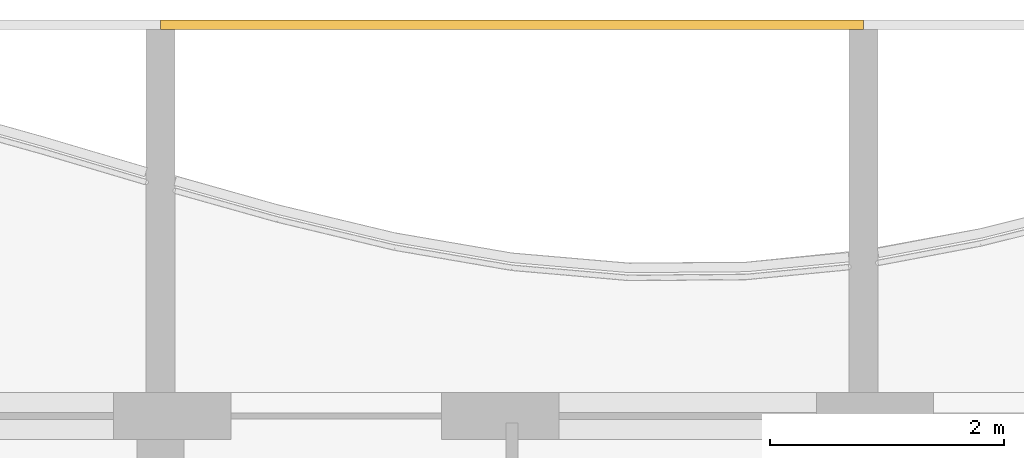
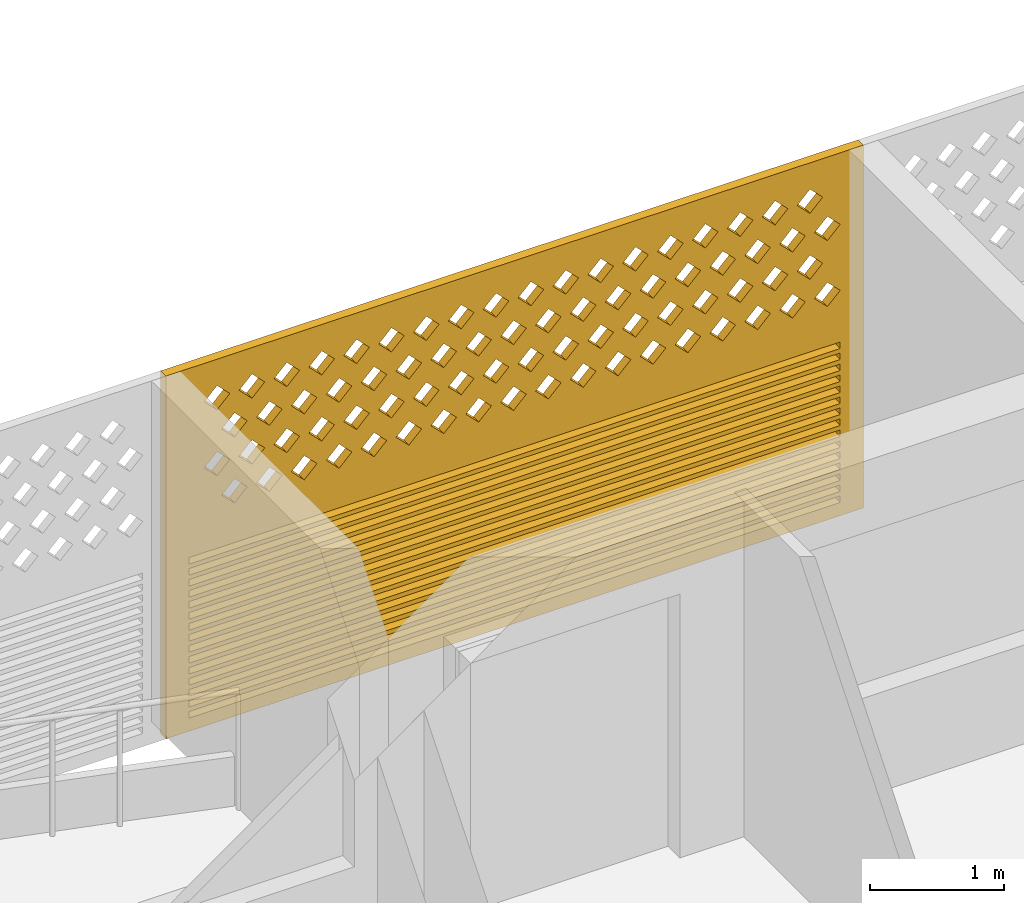
# One storey, part 34 of 39: 1 covering.
"""IFC4 building model written with IfcOpenShell, lengths in metres."""

from ifc_helpers import new_model, si_unit, direction, frame, origin, place, context, subcontext, project, spatial, polyline, outline, extrude, source, transform, mapped, material, material_profile, profile_set, type_object, element, save


model = new_model("IFC4")

# Units and contexts
model_context = context("Model", 3, precision=1e-05, world=origin(), true_north=direction((0.0, 1.0)))
body_context = subcontext(model_context, "Body", "Model", "MODEL_VIEW")
ifc_project = project(units=[si_unit("LENGTHUNIT", "METRE"), si_unit("AREAUNIT", "SQUARE_METRE"), si_unit("VOLUMEUNIT", "CUBIC_METRE"), si_unit("PLANEANGLEUNIT", "RADIAN"), si_unit("MASSUNIT", "GRAM", prefix="KILO")], contexts=[model_context])

# Site, building, storey
site_placement = place(None, origin())
site = spatial("IfcSite", under=ifc_project, at=site_placement, CompositionType="ELEMENT")
building_placement = place(site_placement, origin())
building = spatial("IfcBuilding", under=site, at=building_placement, Name="Poui Terraces", CompositionType="ELEMENT")
storey_placement = place(building_placement, frame((0.0, 0.0, 59.699951171875)))
storey = spatial("IfcBuildingStorey", under=building, at=storey_placement, Name="L16", CompositionType="ELEMENT", Elevation=59.699951171875)

# Covering
ifc_material = material(Name="Terracotta screen", Category="masonry")
ifc_material_profile = material_profile(ifc_material, outline(polyline([(-3.0, -1.64990234375), (3.0, -1.64990234375), (3.0, 1.64990234375), (-3.0, 1.64990234375), (-3.0, -1.64990234375)]), holes=[polyline([(-2.800048828125, 0.39990234375), (-2.68994140625, 0.2900390625), (-2.580078125, 0.39990234375), (-2.68994140625, 0.510009765625), (-2.800048828125, 0.39990234375)]), polyline([(-2.5, 0.39990234375), (-2.389892578125, 0.2900390625), (-2.280029296875, 0.39990234375), (-2.389892578125, 0.510009765625), (-2.5, 0.39990234375)]), polyline([(-2.199951171875, 0.39990234375), (-2.090087890625, 0.2900390625), (-1.97998046875, 0.39990234375), (-2.090087890625, 0.510009765625), (-2.199951171875, 0.39990234375)]), polyline([(-1.89990234375, 0.39990234375), (-1.7900390625, 0.2900390625), (-1.679931640625, 0.39990234375), (-1.7900390625, 0.510009765625), (-1.89990234375, 0.39990234375)]), polyline([(-1.60009765625, 0.39990234375), (-1.489990234375, 0.2900390625), (-1.3798828125, 0.39990234375), (-1.489990234375, 0.510009765625), (-1.60009765625, 0.39990234375)]), polyline([(-1.300048828125, 0.39990234375), (-1.18994140625, 0.2900390625), (-1.080078125, 0.39990234375), (-1.18994140625, 0.510009765625), (-1.300048828125, 0.39990234375)]), polyline([(-1.0, 0.39990234375), (-0.889892578125, 0.2900390625), (-0.780029296875, 0.39990234375), (-0.889892578125, 0.510009765625), (-1.0, 0.39990234375)]), polyline([(-0.699951171875, 0.39990234375), (-0.590087890625, 0.2900390625), (-0.47998046875, 0.39990234375), (-0.590087890625, 0.510009765625), (-0.699951171875, 0.39990234375)]), polyline([(-0.39990234375, 0.39990234375), (-0.2900390625, 0.2900390625), (-0.179931640625, 0.39990234375), (-0.2900390625, 0.510009765625), (-0.39990234375, 0.39990234375)]), polyline([(-0.10009765625, 0.39990234375), (0.010009765625, 0.2900390625), (0.1201171875, 0.39990234375), (0.010009765625, 0.510009765625), (-0.10009765625, 0.39990234375)]), polyline([(0.199951171875, 0.39990234375), (0.31005859375, 0.2900390625), (0.419921875, 0.39990234375), (0.31005859375, 0.510009765625), (0.199951171875, 0.39990234375)]), polyline([(0.5, 0.39990234375), (0.610107421875, 0.2900390625), (0.719970703125, 0.39990234375), (0.610107421875, 0.510009765625), (0.5, 0.39990234375)]), polyline([(0.800048828125, 0.39990234375), (0.909912109375, 0.2900390625), (1.02001953125, 0.39990234375), (0.909912109375, 0.510009765625), (0.800048828125, 0.39990234375)]), polyline([(1.10009765625, 0.39990234375), (1.2099609375, 0.2900390625), (1.320068359375, 0.39990234375), (1.2099609375, 0.510009765625), (1.10009765625, 0.39990234375)]), polyline([(1.39990234375, 0.39990234375), (1.510009765625, 0.2900390625), (1.6201171875, 0.39990234375), (1.510009765625, 0.510009765625), (1.39990234375, 0.39990234375)]), polyline([(1.699951171875, 0.39990234375), (1.81005859375, 0.2900390625), (1.919921875, 0.39990234375), (1.81005859375, 0.510009765625), (1.699951171875, 0.39990234375)]), polyline([(2.0, 0.39990234375), (2.110107421875, 0.2900390625), (2.219970703125, 0.39990234375), (2.110107421875, 0.510009765625), (2.0, 0.39990234375)]), polyline([(2.300048828125, 0.39990234375), (2.409912109375, 0.2900390625), (2.52001953125, 0.39990234375), (2.409912109375, 0.510009765625), (2.300048828125, 0.39990234375)]), polyline([(-2.64990234375, 0.699951171875), (-2.5400390625, 0.590087890625), (-2.429931640625, 0.699951171875), (-2.5400390625, 0.81005859375), (-2.64990234375, 0.699951171875)]), polyline([(-2.35009765625, 0.699951171875), (-2.239990234375, 0.590087890625), (-2.1298828125, 0.699951171875), (-2.239990234375, 0.81005859375), (-2.35009765625, 0.699951171875)]), polyline([(-2.050048828125, 0.699951171875), (-1.93994140625, 0.590087890625), (-1.830078125, 0.699951171875), (-1.93994140625, 0.81005859375), (-2.050048828125, 0.699951171875)]), polyline([(-1.75, 0.699951171875), (-1.639892578125, 0.590087890625), (-1.530029296875, 0.699951171875), (-1.639892578125, 0.81005859375), (-1.75, 0.699951171875)]), polyline([(-1.449951171875, 0.699951171875), (-1.340087890625, 0.590087890625), (-1.22998046875, 0.699951171875), (-1.340087890625, 0.81005859375), (-1.449951171875, 0.699951171875)]), polyline([(-1.14990234375, 0.699951171875), (-1.0400390625, 0.590087890625), (-0.929931640625, 0.699951171875), (-1.0400390625, 0.81005859375), (-1.14990234375, 0.699951171875)]), polyline([(-0.85009765625, 0.699951171875), (-0.739990234375, 0.590087890625), (-0.6298828125, 0.699951171875), (-0.739990234375, 0.81005859375), (-0.85009765625, 0.699951171875)]), polyline([(-0.550048828125, 0.699951171875), (-0.43994140625, 0.590087890625), (-0.330078125, 0.699951171875), (-0.43994140625, 0.81005859375), (-0.550048828125, 0.699951171875)]), polyline([(-0.25, 0.699951171875), (-0.139892578125, 0.590087890625), (-0.030029296875, 0.699951171875), (-0.139892578125, 0.81005859375), (-0.25, 0.699951171875)]), polyline([(0.050048828125, 0.699951171875), (0.159912109375, 0.590087890625), (0.27001953125, 0.699951171875), (0.159912109375, 0.81005859375), (0.050048828125, 0.699951171875)]), polyline([(0.35009765625, 0.699951171875), (0.4599609375, 0.590087890625), (0.570068359375, 0.699951171875), (0.4599609375, 0.81005859375), (0.35009765625, 0.699951171875)]), polyline([(0.64990234375, 0.699951171875), (0.760009765625, 0.590087890625), (0.8701171875, 0.699951171875), (0.760009765625, 0.81005859375), (0.64990234375, 0.699951171875)]), polyline([(0.949951171875, 0.699951171875), (1.06005859375, 0.590087890625), (1.169921875, 0.699951171875), (1.06005859375, 0.81005859375), (0.949951171875, 0.699951171875)]), polyline([(1.25, 0.699951171875), (1.360107421875, 0.590087890625), (1.469970703125, 0.699951171875), (1.360107421875, 0.81005859375), (1.25, 0.699951171875)]), polyline([(1.550048828125, 0.699951171875), (1.659912109375, 0.590087890625), (1.77001953125, 0.699951171875), (1.659912109375, 0.81005859375), (1.550048828125, 0.699951171875)]), polyline([(1.85009765625, 0.699951171875), (1.9599609375, 0.590087890625), (2.070068359375, 0.699951171875), (1.9599609375, 0.81005859375), (1.85009765625, 0.699951171875)]), polyline([(2.14990234375, 0.699951171875), (2.260009765625, 0.590087890625), (2.3701171875, 0.699951171875), (2.260009765625, 0.81005859375), (2.14990234375, 0.699951171875)]), polyline([(2.449951171875, 0.699951171875), (2.56005859375, 0.590087890625), (2.669921875, 0.699951171875), (2.56005859375, 0.81005859375), (2.449951171875, 0.699951171875)]), polyline([(-2.800048828125, 1.0), (-2.68994140625, 0.889892578125), (-2.580078125, 1.0), (-2.68994140625, 1.110107421875), (-2.800048828125, 1.0)]), polyline([(-2.5, 1.0), (-2.389892578125, 0.889892578125), (-2.280029296875, 1.0), (-2.389892578125, 1.110107421875), (-2.5, 1.0)]), polyline([(-2.199951171875, 1.0), (-2.090087890625, 0.889892578125), (-1.97998046875, 1.0), (-2.090087890625, 1.110107421875), (-2.199951171875, 1.0)]), polyline([(-1.89990234375, 1.0), (-1.7900390625, 0.889892578125), (-1.679931640625, 1.0), (-1.7900390625, 1.110107421875), (-1.89990234375, 1.0)]), polyline([(-1.60009765625, 1.0), (-1.489990234375, 0.889892578125), (-1.3798828125, 1.0), (-1.489990234375, 1.110107421875), (-1.60009765625, 1.0)]), polyline([(-1.300048828125, 1.0), (-1.18994140625, 0.889892578125), (-1.080078125, 1.0), (-1.18994140625, 1.110107421875), (-1.300048828125, 1.0)]), polyline([(-1.0, 1.0), (-0.889892578125, 0.889892578125), (-0.780029296875, 1.0), (-0.889892578125, 1.110107421875), (-1.0, 1.0)]), polyline([(-0.699951171875, 1.0), (-0.590087890625, 0.889892578125), (-0.47998046875, 1.0), (-0.590087890625, 1.110107421875), (-0.699951171875, 1.0)]), polyline([(-0.39990234375, 1.0), (-0.2900390625, 0.889892578125), (-0.179931640625, 1.0), (-0.2900390625, 1.110107421875), (-0.39990234375, 1.0)]), polyline([(-0.10009765625, 1.0), (0.010009765625, 0.889892578125), (0.1201171875, 1.0), (0.010009765625, 1.110107421875), (-0.10009765625, 1.0)]), polyline([(0.199951171875, 1.0), (0.31005859375, 0.889892578125), (0.419921875, 1.0), (0.31005859375, 1.110107421875), (0.199951171875, 1.0)]), polyline([(0.5, 1.0), (0.610107421875, 0.889892578125), (0.719970703125, 1.0), (0.610107421875, 1.110107421875), (0.5, 1.0)]), polyline([(0.800048828125, 1.0), (0.909912109375, 0.889892578125), (1.02001953125, 1.0), (0.909912109375, 1.110107421875), (0.800048828125, 1.0)]), polyline([(1.10009765625, 1.0), (1.2099609375, 0.889892578125), (1.320068359375, 1.0), (1.2099609375, 1.110107421875), (1.10009765625, 1.0)]), polyline([(1.39990234375, 1.0), (1.510009765625, 0.889892578125), (1.6201171875, 1.0), (1.510009765625, 1.110107421875), (1.39990234375, 1.0)]), polyline([(1.699951171875, 1.0), (1.81005859375, 0.889892578125), (1.919921875, 1.0), (1.81005859375, 1.110107421875), (1.699951171875, 1.0)]), polyline([(2.0, 1.0), (2.110107421875, 0.889892578125), (2.219970703125, 1.0), (2.110107421875, 1.110107421875), (2.0, 1.0)]), polyline([(2.300048828125, 1.0), (2.409912109375, 0.889892578125), (2.52001953125, 1.0), (2.409912109375, 1.110107421875), (2.300048828125, 1.0)]), polyline([(-2.64990234375, 1.300048828125), (-2.5400390625, 1.18994140625), (-2.429931640625, 1.300048828125), (-2.5400390625, 1.409912109375), (-2.64990234375, 1.300048828125)]), polyline([(-2.35009765625, 1.300048828125), (-2.239990234375, 1.18994140625), (-2.1298828125, 1.300048828125), (-2.239990234375, 1.409912109375), (-2.35009765625, 1.300048828125)]), polyline([(-2.050048828125, 1.300048828125), (-1.93994140625, 1.18994140625), (-1.830078125, 1.300048828125), (-1.93994140625, 1.409912109375), (-2.050048828125, 1.300048828125)]), polyline([(-1.75, 1.300048828125), (-1.639892578125, 1.18994140625), (-1.530029296875, 1.300048828125), (-1.639892578125, 1.409912109375), (-1.75, 1.300048828125)]), polyline([(-1.449951171875, 1.300048828125), (-1.340087890625, 1.18994140625), (-1.22998046875, 1.300048828125), (-1.340087890625, 1.409912109375), (-1.449951171875, 1.300048828125)]), polyline([(-1.14990234375, 1.300048828125), (-1.0400390625, 1.18994140625), (-0.929931640625, 1.300048828125), (-1.0400390625, 1.409912109375), (-1.14990234375, 1.300048828125)]), polyline([(-0.85009765625, 1.300048828125), (-0.739990234375, 1.18994140625), (-0.6298828125, 1.300048828125), (-0.739990234375, 1.409912109375), (-0.85009765625, 1.300048828125)]), polyline([(-0.550048828125, 1.300048828125), (-0.43994140625, 1.18994140625), (-0.330078125, 1.300048828125), (-0.43994140625, 1.409912109375), (-0.550048828125, 1.300048828125)]), polyline([(-0.25, 1.300048828125), (-0.139892578125, 1.18994140625), (-0.030029296875, 1.300048828125), (-0.139892578125, 1.409912109375), (-0.25, 1.300048828125)]), polyline([(0.050048828125, 1.300048828125), (0.159912109375, 1.18994140625), (0.27001953125, 1.300048828125), (0.159912109375, 1.409912109375), (0.050048828125, 1.300048828125)]), polyline([(0.35009765625, 1.300048828125), (0.4599609375, 1.18994140625), (0.570068359375, 1.300048828125), (0.4599609375, 1.409912109375), (0.35009765625, 1.300048828125)]), polyline([(0.64990234375, 1.300048828125), (0.760009765625, 1.18994140625), (0.8701171875, 1.300048828125), (0.760009765625, 1.409912109375), (0.64990234375, 1.300048828125)]), polyline([(0.949951171875, 1.300048828125), (1.06005859375, 1.18994140625), (1.169921875, 1.300048828125), (1.06005859375, 1.409912109375), (0.949951171875, 1.300048828125)]), polyline([(1.25, 1.300048828125), (1.360107421875, 1.18994140625), (1.469970703125, 1.300048828125), (1.360107421875, 1.409912109375), (1.25, 1.300048828125)]), polyline([(1.550048828125, 1.300048828125), (1.659912109375, 1.18994140625), (1.77001953125, 1.300048828125), (1.659912109375, 1.409912109375), (1.550048828125, 1.300048828125)]), polyline([(1.85009765625, 1.300048828125), (1.9599609375, 1.18994140625), (2.070068359375, 1.300048828125), (1.9599609375, 1.409912109375), (1.85009765625, 1.300048828125)]), polyline([(2.14990234375, 1.300048828125), (2.260009765625, 1.18994140625), (2.3701171875, 1.300048828125), (2.260009765625, 1.409912109375), (2.14990234375, 1.300048828125)]), polyline([(2.449951171875, 1.300048828125), (2.56005859375, 1.18994140625), (2.669921875, 1.300048828125), (2.56005859375, 1.409912109375), (2.449951171875, 1.300048828125)]), polyline([(-2.800048828125, -1.530029296875), (2.800048828125, -1.530029296875), (2.800048828125, -1.469970703125), (-2.800048828125, -1.469970703125), (-2.800048828125, -1.530029296875)]), polyline([(-2.800048828125, -1.429931640625), (2.800048828125, -1.429931640625), (2.800048828125, -1.3701171875), (-2.800048828125, -1.3701171875), (-2.800048828125, -1.429931640625)]), polyline([(-2.800048828125, -1.330078125), (2.800048828125, -1.330078125), (2.800048828125, -1.27001953125), (-2.800048828125, -1.27001953125), (-2.800048828125, -1.330078125)]), polyline([(-2.800048828125, -1.22998046875), (2.800048828125, -1.22998046875), (2.800048828125, -1.169921875), (-2.800048828125, -1.169921875), (-2.800048828125, -1.22998046875)]), polyline([(-2.800048828125, -1.1298828125), (2.800048828125, -1.1298828125), (2.800048828125, -1.070068359375), (-2.800048828125, -1.070068359375), (-2.800048828125, -1.1298828125)]), polyline([(-2.800048828125, -1.030029296875), (2.800048828125, -1.030029296875), (2.800048828125, -0.969970703125), (-2.800048828125, -0.969970703125), (-2.800048828125, -1.030029296875)]), polyline([(-2.800048828125, -0.929931640625), (2.800048828125, -0.929931640625), (2.800048828125, -0.8701171875), (-2.800048828125, -0.8701171875), (-2.800048828125, -0.929931640625)]), polyline([(-2.800048828125, -0.830078125), (2.800048828125, -0.830078125), (2.800048828125, -0.77001953125), (-2.800048828125, -0.77001953125), (-2.800048828125, -0.830078125)]), polyline([(-2.800048828125, -0.72998046875), (2.800048828125, -0.72998046875), (2.800048828125, -0.669921875), (-2.800048828125, -0.669921875), (-2.800048828125, -0.72998046875)]), polyline([(-2.800048828125, -0.6298828125), (2.800048828125, -0.6298828125), (2.800048828125, -0.570068359375), (-2.800048828125, -0.570068359375), (-2.800048828125, -0.6298828125)]), polyline([(-2.800048828125, -0.530029296875), (2.800048828125, -0.530029296875), (2.800048828125, -0.469970703125), (-2.800048828125, -0.469970703125), (-2.800048828125, -0.530029296875)]), polyline([(-2.800048828125, -0.429931640625), (2.800048828125, -0.429931640625), (2.800048828125, -0.3701171875), (-2.800048828125, -0.3701171875), (-2.800048828125, -0.429931640625)]), polyline([(-2.800048828125, -0.330078125), (2.800048828125, -0.330078125), (2.800048828125, -0.27001953125), (-2.800048828125, -0.27001953125), (-2.800048828125, -0.330078125)]), polyline([(-2.800048828125, -0.22998046875), (2.800048828125, -0.22998046875), (2.800048828125, -0.169921875), (-2.800048828125, -0.169921875), (-2.800048828125, -0.22998046875)]), polyline([(-2.800048828125, -0.1298828125), (2.800048828125, -0.1298828125), (2.800048828125, -0.070068359375), (-2.800048828125, -0.070068359375), (-2.800048828125, -0.1298828125)])]), Name="TERRACOTTA SCREEN AND JALOUSIE LOUVRE 6000X3300")
ifc_profile_set = profile_set([ifc_material_profile], Name="Terracotta screen")
covering_type = type_object("IfcCoveringType", Name="TERRACOTTA SCREEN AND JALOUSIE LOUVRE 6000X3300", PredefinedType="CLADDING", material=ifc_profile_set)
shared_shape = source(origin(), body_context, "Body", "SweptSolid", [
    extrude(outline(polyline([(-3.0, -1.64990234375), (3.0, -1.64990234375), (3.0, 1.64990234375), (-3.0, 1.64990234375), (-3.0, -1.64990234375)]), holes=[polyline([(-2.800048828125, 0.39990234375), (-2.68994140625, 0.2900390625), (-2.580078125, 0.39990234375), (-2.68994140625, 0.510009765625), (-2.800048828125, 0.39990234375)]), polyline([(-2.5, 0.39990234375), (-2.389892578125, 0.2900390625), (-2.280029296875, 0.39990234375), (-2.389892578125, 0.510009765625), (-2.5, 0.39990234375)]), polyline([(-2.199951171875, 0.39990234375), (-2.090087890625, 0.2900390625), (-1.97998046875, 0.39990234375), (-2.090087890625, 0.510009765625), (-2.199951171875, 0.39990234375)]), polyline([(-1.89990234375, 0.39990234375), (-1.7900390625, 0.2900390625), (-1.679931640625, 0.39990234375), (-1.7900390625, 0.510009765625), (-1.89990234375, 0.39990234375)]), polyline([(-1.60009765625, 0.39990234375), (-1.489990234375, 0.2900390625), (-1.3798828125, 0.39990234375), (-1.489990234375, 0.510009765625), (-1.60009765625, 0.39990234375)]), polyline([(-1.300048828125, 0.39990234375), (-1.18994140625, 0.2900390625), (-1.080078125, 0.39990234375), (-1.18994140625, 0.510009765625), (-1.300048828125, 0.39990234375)]), polyline([(-1.0, 0.39990234375), (-0.889892578125, 0.2900390625), (-0.780029296875, 0.39990234375), (-0.889892578125, 0.510009765625), (-1.0, 0.39990234375)]), polyline([(-0.699951171875, 0.39990234375), (-0.590087890625, 0.2900390625), (-0.47998046875, 0.39990234375), (-0.590087890625, 0.510009765625), (-0.699951171875, 0.39990234375)]), polyline([(-0.39990234375, 0.39990234375), (-0.2900390625, 0.2900390625), (-0.179931640625, 0.39990234375), (-0.2900390625, 0.510009765625), (-0.39990234375, 0.39990234375)]), polyline([(-0.10009765625, 0.39990234375), (0.010009765625, 0.2900390625), (0.1201171875, 0.39990234375), (0.010009765625, 0.510009765625), (-0.10009765625, 0.39990234375)]), polyline([(0.199951171875, 0.39990234375), (0.31005859375, 0.2900390625), (0.419921875, 0.39990234375), (0.31005859375, 0.510009765625), (0.199951171875, 0.39990234375)]), polyline([(0.5, 0.39990234375), (0.610107421875, 0.2900390625), (0.719970703125, 0.39990234375), (0.610107421875, 0.510009765625), (0.5, 0.39990234375)]), polyline([(0.800048828125, 0.39990234375), (0.909912109375, 0.2900390625), (1.02001953125, 0.39990234375), (0.909912109375, 0.510009765625), (0.800048828125, 0.39990234375)]), polyline([(1.10009765625, 0.39990234375), (1.2099609375, 0.2900390625), (1.320068359375, 0.39990234375), (1.2099609375, 0.510009765625), (1.10009765625, 0.39990234375)]), polyline([(1.39990234375, 0.39990234375), (1.510009765625, 0.2900390625), (1.6201171875, 0.39990234375), (1.510009765625, 0.510009765625), (1.39990234375, 0.39990234375)]), polyline([(1.699951171875, 0.39990234375), (1.81005859375, 0.2900390625), (1.919921875, 0.39990234375), (1.81005859375, 0.510009765625), (1.699951171875, 0.39990234375)]), polyline([(2.0, 0.39990234375), (2.110107421875, 0.2900390625), (2.219970703125, 0.39990234375), (2.110107421875, 0.510009765625), (2.0, 0.39990234375)]), polyline([(2.300048828125, 0.39990234375), (2.409912109375, 0.2900390625), (2.52001953125, 0.39990234375), (2.409912109375, 0.510009765625), (2.300048828125, 0.39990234375)]), polyline([(-2.64990234375, 0.699951171875), (-2.5400390625, 0.590087890625), (-2.429931640625, 0.699951171875), (-2.5400390625, 0.81005859375), (-2.64990234375, 0.699951171875)]), polyline([(-2.35009765625, 0.699951171875), (-2.239990234375, 0.590087890625), (-2.1298828125, 0.699951171875), (-2.239990234375, 0.81005859375), (-2.35009765625, 0.699951171875)]), polyline([(-2.050048828125, 0.699951171875), (-1.93994140625, 0.590087890625), (-1.830078125, 0.699951171875), (-1.93994140625, 0.81005859375), (-2.050048828125, 0.699951171875)]), polyline([(-1.75, 0.699951171875), (-1.639892578125, 0.590087890625), (-1.530029296875, 0.699951171875), (-1.639892578125, 0.81005859375), (-1.75, 0.699951171875)]), polyline([(-1.449951171875, 0.699951171875), (-1.340087890625, 0.590087890625), (-1.22998046875, 0.699951171875), (-1.340087890625, 0.81005859375), (-1.449951171875, 0.699951171875)]), polyline([(-1.14990234375, 0.699951171875), (-1.0400390625, 0.590087890625), (-0.929931640625, 0.699951171875), (-1.0400390625, 0.81005859375), (-1.14990234375, 0.699951171875)]), polyline([(-0.85009765625, 0.699951171875), (-0.739990234375, 0.590087890625), (-0.6298828125, 0.699951171875), (-0.739990234375, 0.81005859375), (-0.85009765625, 0.699951171875)]), polyline([(-0.550048828125, 0.699951171875), (-0.43994140625, 0.590087890625), (-0.330078125, 0.699951171875), (-0.43994140625, 0.81005859375), (-0.550048828125, 0.699951171875)]), polyline([(-0.25, 0.699951171875), (-0.139892578125, 0.590087890625), (-0.030029296875, 0.699951171875), (-0.139892578125, 0.81005859375), (-0.25, 0.699951171875)]), polyline([(0.050048828125, 0.699951171875), (0.159912109375, 0.590087890625), (0.27001953125, 0.699951171875), (0.159912109375, 0.81005859375), (0.050048828125, 0.699951171875)]), polyline([(0.35009765625, 0.699951171875), (0.4599609375, 0.590087890625), (0.570068359375, 0.699951171875), (0.4599609375, 0.81005859375), (0.35009765625, 0.699951171875)]), polyline([(0.64990234375, 0.699951171875), (0.760009765625, 0.590087890625), (0.8701171875, 0.699951171875), (0.760009765625, 0.81005859375), (0.64990234375, 0.699951171875)]), polyline([(0.949951171875, 0.699951171875), (1.06005859375, 0.590087890625), (1.169921875, 0.699951171875), (1.06005859375, 0.81005859375), (0.949951171875, 0.699951171875)]), polyline([(1.25, 0.699951171875), (1.360107421875, 0.590087890625), (1.469970703125, 0.699951171875), (1.360107421875, 0.81005859375), (1.25, 0.699951171875)]), polyline([(1.550048828125, 0.699951171875), (1.659912109375, 0.590087890625), (1.77001953125, 0.699951171875), (1.659912109375, 0.81005859375), (1.550048828125, 0.699951171875)]), polyline([(1.85009765625, 0.699951171875), (1.9599609375, 0.590087890625), (2.070068359375, 0.699951171875), (1.9599609375, 0.81005859375), (1.85009765625, 0.699951171875)]), polyline([(2.14990234375, 0.699951171875), (2.260009765625, 0.590087890625), (2.3701171875, 0.699951171875), (2.260009765625, 0.81005859375), (2.14990234375, 0.699951171875)]), polyline([(2.449951171875, 0.699951171875), (2.56005859375, 0.590087890625), (2.669921875, 0.699951171875), (2.56005859375, 0.81005859375), (2.449951171875, 0.699951171875)]), polyline([(-2.800048828125, 1.0), (-2.68994140625, 0.889892578125), (-2.580078125, 1.0), (-2.68994140625, 1.110107421875), (-2.800048828125, 1.0)]), polyline([(-2.5, 1.0), (-2.389892578125, 0.889892578125), (-2.280029296875, 1.0), (-2.389892578125, 1.110107421875), (-2.5, 1.0)]), polyline([(-2.199951171875, 1.0), (-2.090087890625, 0.889892578125), (-1.97998046875, 1.0), (-2.090087890625, 1.110107421875), (-2.199951171875, 1.0)]), polyline([(-1.89990234375, 1.0), (-1.7900390625, 0.889892578125), (-1.679931640625, 1.0), (-1.7900390625, 1.110107421875), (-1.89990234375, 1.0)]), polyline([(-1.60009765625, 1.0), (-1.489990234375, 0.889892578125), (-1.3798828125, 1.0), (-1.489990234375, 1.110107421875), (-1.60009765625, 1.0)]), polyline([(-1.300048828125, 1.0), (-1.18994140625, 0.889892578125), (-1.080078125, 1.0), (-1.18994140625, 1.110107421875), (-1.300048828125, 1.0)]), polyline([(-1.0, 1.0), (-0.889892578125, 0.889892578125), (-0.780029296875, 1.0), (-0.889892578125, 1.110107421875), (-1.0, 1.0)]), polyline([(-0.699951171875, 1.0), (-0.590087890625, 0.889892578125), (-0.47998046875, 1.0), (-0.590087890625, 1.110107421875), (-0.699951171875, 1.0)]), polyline([(-0.39990234375, 1.0), (-0.2900390625, 0.889892578125), (-0.179931640625, 1.0), (-0.2900390625, 1.110107421875), (-0.39990234375, 1.0)]), polyline([(-0.10009765625, 1.0), (0.010009765625, 0.889892578125), (0.1201171875, 1.0), (0.010009765625, 1.110107421875), (-0.10009765625, 1.0)]), polyline([(0.199951171875, 1.0), (0.31005859375, 0.889892578125), (0.419921875, 1.0), (0.31005859375, 1.110107421875), (0.199951171875, 1.0)]), polyline([(0.5, 1.0), (0.610107421875, 0.889892578125), (0.719970703125, 1.0), (0.610107421875, 1.110107421875), (0.5, 1.0)]), polyline([(0.800048828125, 1.0), (0.909912109375, 0.889892578125), (1.02001953125, 1.0), (0.909912109375, 1.110107421875), (0.800048828125, 1.0)]), polyline([(1.10009765625, 1.0), (1.2099609375, 0.889892578125), (1.320068359375, 1.0), (1.2099609375, 1.110107421875), (1.10009765625, 1.0)]), polyline([(1.39990234375, 1.0), (1.510009765625, 0.889892578125), (1.6201171875, 1.0), (1.510009765625, 1.110107421875), (1.39990234375, 1.0)]), polyline([(1.699951171875, 1.0), (1.81005859375, 0.889892578125), (1.919921875, 1.0), (1.81005859375, 1.110107421875), (1.699951171875, 1.0)]), polyline([(2.0, 1.0), (2.110107421875, 0.889892578125), (2.219970703125, 1.0), (2.110107421875, 1.110107421875), (2.0, 1.0)]), polyline([(2.300048828125, 1.0), (2.409912109375, 0.889892578125), (2.52001953125, 1.0), (2.409912109375, 1.110107421875), (2.300048828125, 1.0)]), polyline([(-2.64990234375, 1.300048828125), (-2.5400390625, 1.18994140625), (-2.429931640625, 1.300048828125), (-2.5400390625, 1.409912109375), (-2.64990234375, 1.300048828125)]), polyline([(-2.35009765625, 1.300048828125), (-2.239990234375, 1.18994140625), (-2.1298828125, 1.300048828125), (-2.239990234375, 1.409912109375), (-2.35009765625, 1.300048828125)]), polyline([(-2.050048828125, 1.300048828125), (-1.93994140625, 1.18994140625), (-1.830078125, 1.300048828125), (-1.93994140625, 1.409912109375), (-2.050048828125, 1.300048828125)]), polyline([(-1.75, 1.300048828125), (-1.639892578125, 1.18994140625), (-1.530029296875, 1.300048828125), (-1.639892578125, 1.409912109375), (-1.75, 1.300048828125)]), polyline([(-1.449951171875, 1.300048828125), (-1.340087890625, 1.18994140625), (-1.22998046875, 1.300048828125), (-1.340087890625, 1.409912109375), (-1.449951171875, 1.300048828125)]), polyline([(-1.14990234375, 1.300048828125), (-1.0400390625, 1.18994140625), (-0.929931640625, 1.300048828125), (-1.0400390625, 1.409912109375), (-1.14990234375, 1.300048828125)]), polyline([(-0.85009765625, 1.300048828125), (-0.739990234375, 1.18994140625), (-0.6298828125, 1.300048828125), (-0.739990234375, 1.409912109375), (-0.85009765625, 1.300048828125)]), polyline([(-0.550048828125, 1.300048828125), (-0.43994140625, 1.18994140625), (-0.330078125, 1.300048828125), (-0.43994140625, 1.409912109375), (-0.550048828125, 1.300048828125)]), polyline([(-0.25, 1.300048828125), (-0.139892578125, 1.18994140625), (-0.030029296875, 1.300048828125), (-0.139892578125, 1.409912109375), (-0.25, 1.300048828125)]), polyline([(0.050048828125, 1.300048828125), (0.159912109375, 1.18994140625), (0.27001953125, 1.300048828125), (0.159912109375, 1.409912109375), (0.050048828125, 1.300048828125)]), polyline([(0.35009765625, 1.300048828125), (0.4599609375, 1.18994140625), (0.570068359375, 1.300048828125), (0.4599609375, 1.409912109375), (0.35009765625, 1.300048828125)]), polyline([(0.64990234375, 1.300048828125), (0.760009765625, 1.18994140625), (0.8701171875, 1.300048828125), (0.760009765625, 1.409912109375), (0.64990234375, 1.300048828125)]), polyline([(0.949951171875, 1.300048828125), (1.06005859375, 1.18994140625), (1.169921875, 1.300048828125), (1.06005859375, 1.409912109375), (0.949951171875, 1.300048828125)]), polyline([(1.25, 1.300048828125), (1.360107421875, 1.18994140625), (1.469970703125, 1.300048828125), (1.360107421875, 1.409912109375), (1.25, 1.300048828125)]), polyline([(1.550048828125, 1.300048828125), (1.659912109375, 1.18994140625), (1.77001953125, 1.300048828125), (1.659912109375, 1.409912109375), (1.550048828125, 1.300048828125)]), polyline([(1.85009765625, 1.300048828125), (1.9599609375, 1.18994140625), (2.070068359375, 1.300048828125), (1.9599609375, 1.409912109375), (1.85009765625, 1.300048828125)]), polyline([(2.14990234375, 1.300048828125), (2.260009765625, 1.18994140625), (2.3701171875, 1.300048828125), (2.260009765625, 1.409912109375), (2.14990234375, 1.300048828125)]), polyline([(2.449951171875, 1.300048828125), (2.56005859375, 1.18994140625), (2.669921875, 1.300048828125), (2.56005859375, 1.409912109375), (2.449951171875, 1.300048828125)]), polyline([(-2.800048828125, -1.530029296875), (2.800048828125, -1.530029296875), (2.800048828125, -1.469970703125), (-2.800048828125, -1.469970703125), (-2.800048828125, -1.530029296875)]), polyline([(-2.800048828125, -1.429931640625), (2.800048828125, -1.429931640625), (2.800048828125, -1.3701171875), (-2.800048828125, -1.3701171875), (-2.800048828125, -1.429931640625)]), polyline([(-2.800048828125, -1.330078125), (2.800048828125, -1.330078125), (2.800048828125, -1.27001953125), (-2.800048828125, -1.27001953125), (-2.800048828125, -1.330078125)]), polyline([(-2.800048828125, -1.22998046875), (2.800048828125, -1.22998046875), (2.800048828125, -1.169921875), (-2.800048828125, -1.169921875), (-2.800048828125, -1.22998046875)]), polyline([(-2.800048828125, -1.1298828125), (2.800048828125, -1.1298828125), (2.800048828125, -1.070068359375), (-2.800048828125, -1.070068359375), (-2.800048828125, -1.1298828125)]), polyline([(-2.800048828125, -1.030029296875), (2.800048828125, -1.030029296875), (2.800048828125, -0.969970703125), (-2.800048828125, -0.969970703125), (-2.800048828125, -1.030029296875)]), polyline([(-2.800048828125, -0.929931640625), (2.800048828125, -0.929931640625), (2.800048828125, -0.8701171875), (-2.800048828125, -0.8701171875), (-2.800048828125, -0.929931640625)]), polyline([(-2.800048828125, -0.830078125), (2.800048828125, -0.830078125), (2.800048828125, -0.77001953125), (-2.800048828125, -0.77001953125), (-2.800048828125, -0.830078125)]), polyline([(-2.800048828125, -0.72998046875), (2.800048828125, -0.72998046875), (2.800048828125, -0.669921875), (-2.800048828125, -0.669921875), (-2.800048828125, -0.72998046875)]), polyline([(-2.800048828125, -0.6298828125), (2.800048828125, -0.6298828125), (2.800048828125, -0.570068359375), (-2.800048828125, -0.570068359375), (-2.800048828125, -0.6298828125)]), polyline([(-2.800048828125, -0.530029296875), (2.800048828125, -0.530029296875), (2.800048828125, -0.469970703125), (-2.800048828125, -0.469970703125), (-2.800048828125, -0.530029296875)]), polyline([(-2.800048828125, -0.429931640625), (2.800048828125, -0.429931640625), (2.800048828125, -0.3701171875), (-2.800048828125, -0.3701171875), (-2.800048828125, -0.429931640625)]), polyline([(-2.800048828125, -0.330078125), (2.800048828125, -0.330078125), (2.800048828125, -0.27001953125), (-2.800048828125, -0.27001953125), (-2.800048828125, -0.330078125)]), polyline([(-2.800048828125, -0.22998046875), (2.800048828125, -0.22998046875), (2.800048828125, -0.169921875), (-2.800048828125, -0.169921875), (-2.800048828125, -0.22998046875)]), polyline([(-2.800048828125, -0.1298828125), (2.800048828125, -0.1298828125), (2.800048828125, -0.070068359375), (-2.800048828125, -0.070068359375), (-2.800048828125, -0.1298828125)])]), origin(), (0.0, 0.0, 1.0), 0.079833984375),
])
covering_placement = place(storey_placement, frame((69.0, 48.10009765625, 1.449951171875), z_axis=(0.0, 1.0, 0.0), x_axis=(-1.0, 0.0, 0.0)))
element("IfcCovering", 1, at=covering_placement, inside=storey, type_object=covering_type, Name="SOLAR SCREEN AND JALOUSIE LOUVRE", PredefinedType="CLADDING", context=body_context, shape_type="MappedRepresentation", body=[
    mapped(shared_shape, transform((0.0, 0.0, 0.0))),
])

save(model, "model.ifc")
